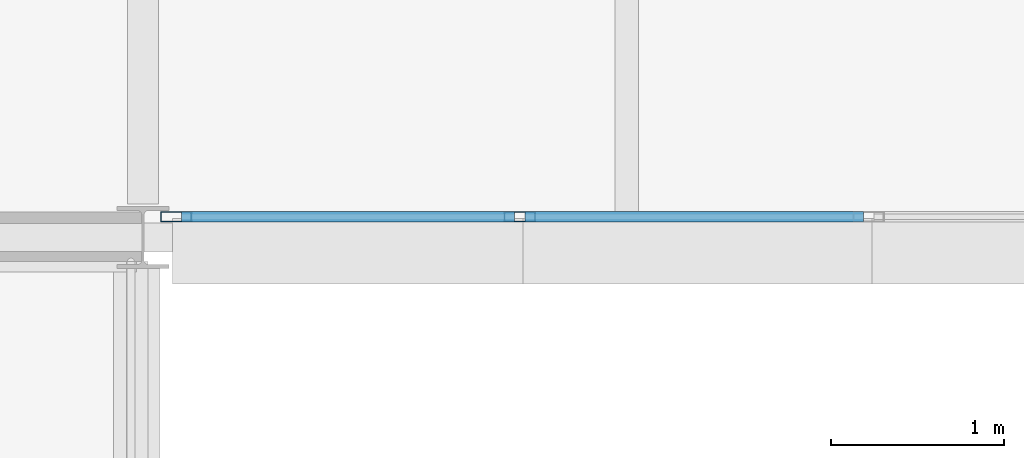
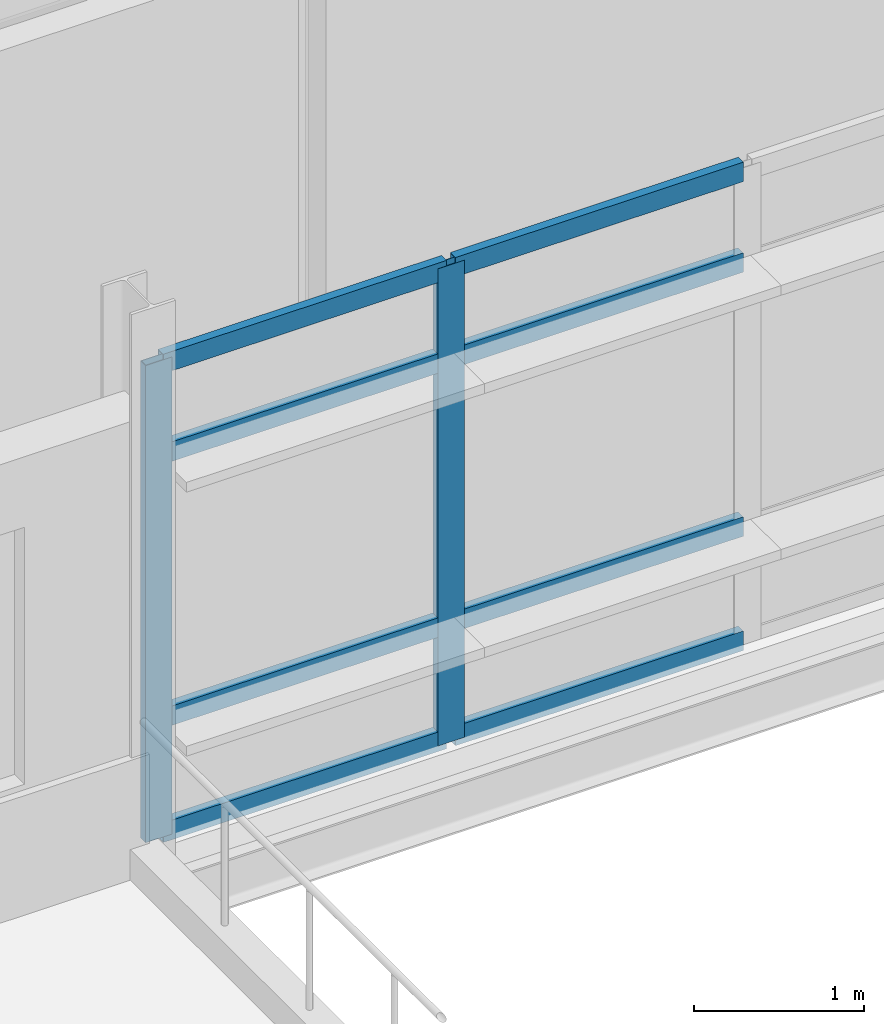
# One storey, part 30 of 57: 10 members, 1 element without a shape of its own.
"""IFC4 building model written with IfcOpenShell, lengths in metres."""

from ifc_helpers import new_model, si_unit, direction, frame, origin, origin_2d, place, context, subcontext, project, spatial, hollow_rectangle, extrude, material, material_profile, profile_set, type_object, element, aggregate, save


model = new_model("IFC4")

# Units and contexts
model_context = context("Model", 3, precision=1e-05, world=origin(), true_north=direction((0.0, 1.0)))
body_context = subcontext(model_context, "Body", "Model", "MODEL_VIEW")
ifc_project = project(units=[si_unit("LENGTHUNIT", "METRE"), si_unit("AREAUNIT", "SQUARE_METRE"), si_unit("VOLUMEUNIT", "CUBIC_METRE"), si_unit("PLANEANGLEUNIT", "RADIAN"), si_unit("MASSUNIT", "GRAM", prefix="KILO")], contexts=[model_context])

# Site, building, storey
site_placement = place(None, origin())
site = spatial("IfcSite", under=ifc_project, at=site_placement, CompositionType="ELEMENT")
building_placement = place(site_placement, origin())
building = spatial("IfcBuilding", under=site, at=building_placement, Name="Mersafa Astral City Hall", CompositionType="ELEMENT")
storey_placement = place(building_placement, frame((0.0, 0.0, 26.10009765625)))
storey = spatial("IfcBuildingStorey", under=building, at=storey_placement, Name="L06", CompositionType="ELEMENT", Elevation=26.10009765625)

# Curtain wall, members
ifc_material = material(Name="Anodised bronze aluminium framing", Category="aluminium")
curtain_wall_type = type_object("IfcCurtainWallType", Name="ENV-CW-4", PredefinedType="USERDEFINED", material=ifc_material)
curtain_wall_placement = place(storey_placement, origin())
curtain_wall = element("IfcCurtainWall", 1, at=curtain_wall_placement, inside=storey, type_object=curtain_wall_type, Name="L06 Unitised solar curtain wall 249", ObjectType="UNITISED CURTAIN WALL", PredefinedType="USERDEFINED")
ifc_material_profile_1 = material_profile(ifc_material, hollow_rectangle(XDim=0.06005859375, YDim=0.179931640625, WallThickness=0.00390625, at=origin_2d()), Name="RHS 60x180x4")
ifc_profile_set_1 = profile_set([ifc_material_profile_1], Name="Anodised bronze aluminium framing")
member_type_1 = type_object("IfcMemberType", Name="ENV-CW-MUL-1", PredefinedType="MULLION", material=ifc_profile_set_1)
member_1_placement = place(storey_placement, frame((134.592041015625, 117.719970703125, -0.002197265625), z_axis=(0.0, 0.0, 1.0), x_axis=(0.0, 1.0, 0.0)))
member_1 = element("IfcMember", 2, at=member_1_placement, type_object=member_type_1, Name="CW-4 mullion 1", PredefinedType="MULLION", context=body_context, shape_type="SweptSolid", body=[
    extrude(hollow_rectangle(XDim=0.06005859375, YDim=0.179931640625, WallThickness=0.00390625, at=origin_2d()), origin(), (0.0, 0.0, 1.0), 3.43408203125),
])
member_2_placement = place(storey_placement, frame((136.5810546875, 117.719970703125, -0.002197265625), z_axis=(0.0, 0.0, 1.0), x_axis=(0.0, 1.0, 0.0)))
member_2 = element("IfcMember", 3, at=member_2_placement, type_object=member_type_1, Name="CW-4 mullion 2", PredefinedType="MULLION", context=body_context, shape_type="SweptSolid", body=[
    extrude(hollow_rectangle(XDim=0.06005859375, YDim=0.179931640625, WallThickness=0.00390625, at=origin_2d()), origin(), (0.0, 0.0, 1.0), 3.43408203125),
])
ifc_material_profile_2 = material_profile(ifc_material, hollow_rectangle(XDim=0.06005859375, YDim=0.139892578125, WallThickness=0.00390625, at=origin_2d()), Name="RHS 60x140x4")
ifc_profile_set_2 = profile_set([ifc_material_profile_2], Name="Anodised bronze aluminium framing")
member_type_2 = type_object("IfcMemberType", Name="ENV-CW-TRN-1", PredefinedType="USERDEFINED", material=ifc_profile_set_2)
member_3_placement = place(storey_placement, frame((134.6220703125, 117.719970703125, 0.02783203125), z_axis=(1.0, 0.0, 0.0), x_axis=(0.0, 1.0, 0.0)))
member_3 = element("IfcMember", 4, at=member_3_placement, type_object=member_type_2, Name="CW-4 transom 1.1", ObjectType="TRANSOM", PredefinedType="USERDEFINED", context=body_context, shape_type="SweptSolid", body=[
    extrude(hollow_rectangle(XDim=0.06005859375, YDim=0.139892578125, WallThickness=0.00390625, at=origin_2d()), origin(), (0.0, 0.0, 1.0), 1.928955078125),
])
member_4_placement = place(storey_placement, frame((134.6220703125, 117.719970703125, 0.849853515625), z_axis=(1.0, 0.0, 0.0), x_axis=(0.0, 1.0, 0.0)))
member_4 = element("IfcMember", 5, at=member_4_placement, type_object=member_type_2, Name="CW-4 transom 1.2", ObjectType="TRANSOM", PredefinedType="USERDEFINED", context=body_context, shape_type="SweptSolid", body=[
    extrude(hollow_rectangle(XDim=0.06005859375, YDim=0.139892578125, WallThickness=0.00390625, at=origin_2d()), origin(), (0.0, 0.0, 1.0), 1.928955078125),
])
member_5_placement = place(storey_placement, frame((134.6220703125, 117.719970703125, 2.75), z_axis=(1.0, 0.0, 0.0), x_axis=(0.0, 1.0, 0.0)))
member_5 = element("IfcMember", 6, at=member_5_placement, type_object=member_type_2, Name="CW-4 transom 1.3", ObjectType="TRANSOM", PredefinedType="USERDEFINED", context=body_context, shape_type="SweptSolid", body=[
    extrude(hollow_rectangle(XDim=0.06005859375, YDim=0.139892578125, WallThickness=0.00390625, at=origin_2d()), origin(), (0.0, 0.0, 1.0), 1.928955078125),
])
member_6_placement = place(storey_placement, frame((134.6220703125, 117.719970703125, 3.40185546875), z_axis=(1.0, 0.0, 0.0), x_axis=(0.0, 1.0, 0.0)))
member_6 = element("IfcMember", 7, at=member_6_placement, type_object=member_type_2, Name="CW-4 transom 1.4", ObjectType="TRANSOM", PredefinedType="USERDEFINED", context=body_context, shape_type="SweptSolid", body=[
    extrude(hollow_rectangle(XDim=0.06005859375, YDim=0.139892578125, WallThickness=0.00390625, at=origin_2d()), origin(), (0.0, 0.0, 1.0), 1.928955078125),
])
member_7_placement = place(storey_placement, frame((136.611083984375, 117.719970703125, 0.02783203125), z_axis=(1.0, 0.0, 0.0), x_axis=(0.0, 1.0, 0.0)))
member_7 = element("IfcMember", 8, at=member_7_placement, type_object=member_type_2, Name="CW-4 transom 2.1", ObjectType="TRANSOM", PredefinedType="USERDEFINED", context=body_context, shape_type="SweptSolid", body=[
    extrude(hollow_rectangle(XDim=0.06005859375, YDim=0.139892578125, WallThickness=0.00390625, at=origin_2d()), origin(), (0.0, 0.0, 1.0), 1.958984375),
])
member_8_placement = place(storey_placement, frame((136.611083984375, 117.719970703125, 0.849853515625), z_axis=(1.0, 0.0, 0.0), x_axis=(0.0, 1.0, 0.0)))
member_8 = element("IfcMember", 9, at=member_8_placement, type_object=member_type_2, Name="CW-4 transom 2.2", ObjectType="TRANSOM", PredefinedType="USERDEFINED", context=body_context, shape_type="SweptSolid", body=[
    extrude(hollow_rectangle(XDim=0.06005859375, YDim=0.139892578125, WallThickness=0.00390625, at=origin_2d()), origin(), (0.0, 0.0, 1.0), 1.958984375),
])
member_9_placement = place(storey_placement, frame((136.611083984375, 117.719970703125, 2.75), z_axis=(1.0, 0.0, 0.0), x_axis=(0.0, 1.0, 0.0)))
member_9 = element("IfcMember", 10, at=member_9_placement, type_object=member_type_2, Name="CW-4 transom 2.3", ObjectType="TRANSOM", PredefinedType="USERDEFINED", context=body_context, shape_type="SweptSolid", body=[
    extrude(hollow_rectangle(XDim=0.06005859375, YDim=0.139892578125, WallThickness=0.00390625, at=origin_2d()), origin(), (0.0, 0.0, 1.0), 1.958984375),
])
member_10_placement = place(storey_placement, frame((136.611083984375, 117.719970703125, 3.40185546875), z_axis=(1.0, 0.0, 0.0), x_axis=(0.0, 1.0, 0.0)))
member_10 = element("IfcMember", 11, at=member_10_placement, type_object=member_type_2, Name="CW-4 transom 2.4", ObjectType="TRANSOM", PredefinedType="USERDEFINED", context=body_context, shape_type="SweptSolid", body=[
    extrude(hollow_rectangle(XDim=0.06005859375, YDim=0.139892578125, WallThickness=0.00390625, at=origin_2d()), origin(), (0.0, 0.0, 1.0), 1.958984375),
])
aggregate(curtain_wall, [member_1, member_2, member_3, member_4, member_5, member_6, member_7, member_8, member_9, member_10])

save(model, "model.ifc")
